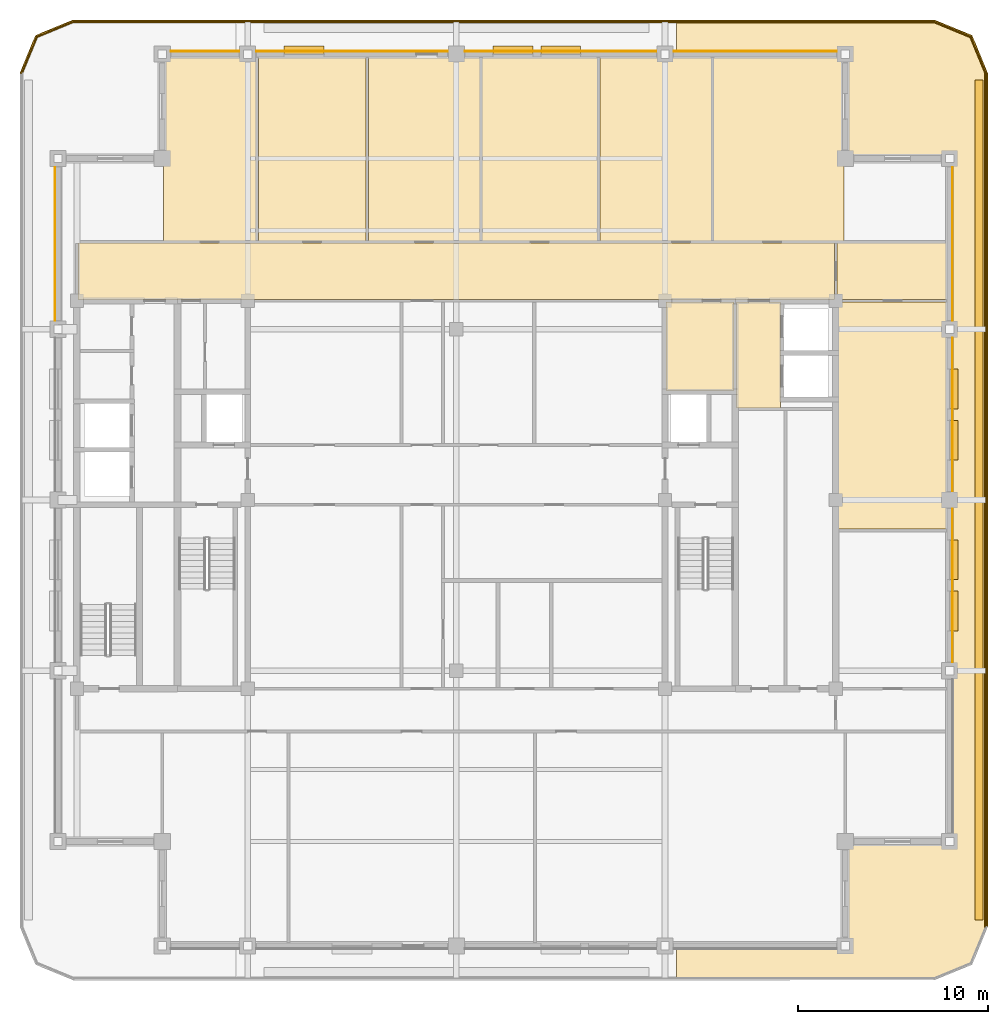
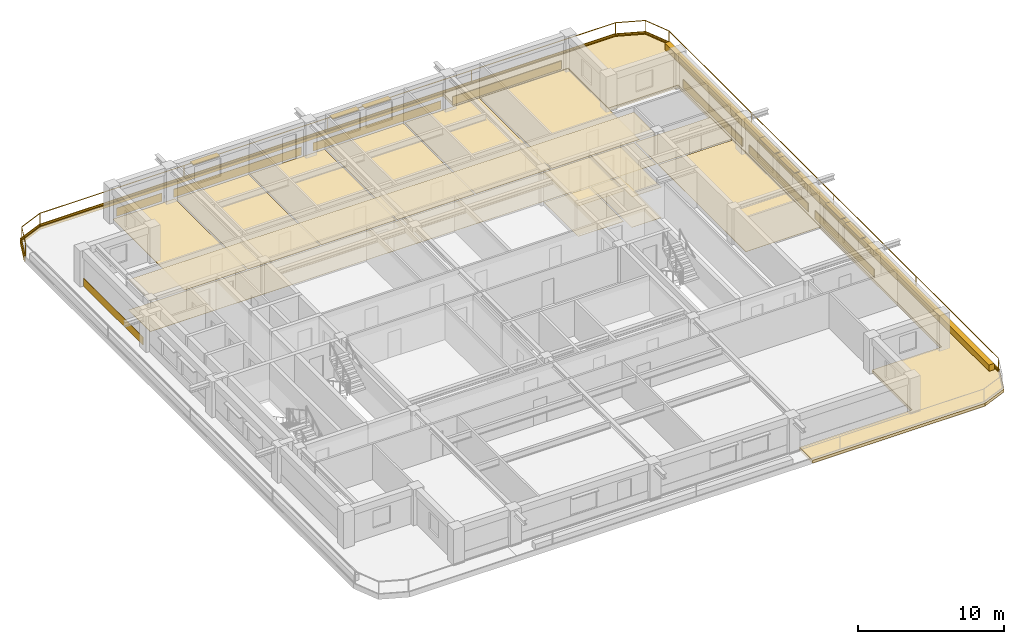
# One storey, part 11 of 11: 30 coverings, 7 shading devices, 2 railings.
"""IFC4 building model written with IfcOpenShell, lengths in metres."""

from ifc_helpers import new_model, si_unit, direction, frame, frame_2d, origin, origin_2d, place, context, subcontext, project, spatial, polyline, rectangle, outline, extrude, material, layer, layer_set, type_object, element, save


model = new_model("IFC4")

# Units and contexts
model_context = context("Model", 3, precision=1e-05, world=origin(), true_north=direction((0.0, 1.0)))
body_context = subcontext(model_context, "Body", "Model", "MODEL_VIEW")
ifc_project = project(units=[si_unit("LENGTHUNIT", "METRE"), si_unit("AREAUNIT", "SQUARE_METRE"), si_unit("VOLUMEUNIT", "CUBIC_METRE"), si_unit("PLANEANGLEUNIT", "RADIAN"), si_unit("MASSUNIT", "GRAM", prefix="KILO")], contexts=[model_context])

# Site, building, storey
site_placement = place(None, origin())
site = spatial("IfcSite", under=ifc_project, at=site_placement, CompositionType="ELEMENT")
building_placement = place(site_placement, origin())
building = spatial("IfcBuilding", under=site, at=building_placement, Name="Zulmaris Gate Convention Tower", CompositionType="ELEMENT")
storey_placement = place(building_placement, frame((0.0, 0.0, 239.739990234375)))
storey = spatial("IfcBuildingStorey", under=building, at=storey_placement, Name="L63", CompositionType="ELEMENT", Elevation=239.739990234375)

# Coverings
ifc_material_1 = material(Name="Precast concrete C40/50", Category="concrete")
ifc_layer_1 = layer(ifc_material_1, 0.0400390625, Name="Precast concrete C40/50")
ifc_layer_set_1 = layer_set([ifc_layer_1], Name="Precast concrete C40/50")
covering_type_1 = type_object("IfcCoveringType", Name="CLAD-SPANDREL-PRECAST", PredefinedType="CLADDING", material=ifc_layer_set_1)
covering_1_placement = place(storey_placement, frame((-11.455078125, 23.64990234375, 0.0), z_axis=(0.0, 0.0, 1.0), x_axis=(-1.0, 0.0, 0.0)))
element("IfcCovering", 1, at=covering_1_placement, inside=storey, type_object=covering_type_1, Name="CLD-L63-N-0_0", PredefinedType="CLADDING", context=body_context, shape_type="SweptSolid", body=[
    extrude(rectangle(XDim=3.58984375, YDim=0.0400390625, at=frame_2d((1.794921875, 0.0))), origin(), (0.0, 0.0, 1.0), 0.679931640625),
])
for number, where, z_axis, x_axis, name in (
    (2, (-0.455078125, 23.64990234375, 0.0), (0.0, 0.0, 1.0), (-1.0, 0.0, 0.0), "CLD-L63-N-1_0"),
    (3, (10.544921875, 23.64990234375, 0.0), (0.0, 0.0, 1.0), (-1.0, 0.0, 0.0), "CLD-L63-N-2_0"),
):
    element("IfcCovering", number, at=place(storey_placement, frame(where, z_axis=z_axis, x_axis=x_axis)), inside=storey, type_object=covering_type_1, Name=name, PredefinedType="CLADDING", context=body_context, shape_type="SweptSolid", body=[
        extrude(rectangle(XDim=10.08984375, YDim=0.0400390625, at=frame_2d((5.044921875, 0.0))), origin(), (0.0, 0.0, 1.0), 0.679931640625),
    ])
covering_2_placement = place(storey_placement, frame((20.044921875, 23.64990234375, 0.0), z_axis=(0.0, 0.0, 1.0), x_axis=(-1.0, 0.0, 0.0)))
element("IfcCovering", 4, at=covering_2_placement, inside=storey, type_object=covering_type_1, Name="CLD-L63-N-3_0", PredefinedType="CLADDING", context=body_context, shape_type="SweptSolid", body=[
    extrude(rectangle(XDim=8.58984375, YDim=0.0400390625, at=frame_2d((4.294921875, 0.0))), origin(), (0.0, 0.0, 1.0), 0.679931640625),
])
for number, where, z_axis, x_axis, name in (
    (5, (26.14990234375, -8.544921875, 0.0), (0.0, 0.0, 1.0), (0.0, 1.0, 0.0), "CLD-L63-E-1_0"),
    (6, (26.14990234375, 0.455078125, 0.0), (0.0, 0.0, 1.0), (0.0, 1.0, 0.0), "CLD-L63-E-2_0"),
    (7, (26.14990234375, 9.455078125, 0.0), (0.0, 0.0, 1.0), (0.0, 1.0, 0.0), "CLD-L63-E-3_0"),
    (8, (-21.14990234375, 17.544921875, 0.0), (0.0, 0.0, 1.0), (0.0, -1.0, 0.0), "CLD-L63-W-3_0"),
):
    element("IfcCovering", number, at=place(storey_placement, frame(where, z_axis=z_axis, x_axis=x_axis)), inside=storey, type_object=covering_type_1, Name=name, PredefinedType="CLADDING", context=body_context, shape_type="SweptSolid", body=[
        extrude(rectangle(XDim=8.08984375, YDim=0.0400390625, at=frame_2d((4.044921875, 0.0))), origin(), (0.0, 0.0, 1.0), 0.679931640625),
    ])
ifc_material_2 = material(Name="White Glazed Architectural Precast Concrete C40/50", Category="concrete")
ifc_layer_2 = layer(ifc_material_2, 0.239990234375, Name="White Glazed Architectural Precast Concrete C40/50")
ifc_layer_set_2 = layer_set([ifc_layer_2], Name="White Glazed Architectural Precast Concrete C40/50")
covering_type_2 = type_object("IfcCoveringType", Name="CLAD-TRAY-DECK", PredefinedType="CLADDING", material=ifc_layer_set_2)
covering_3_placement = place(storey_placement, frame((0.0, 0.0, -0.25)))
element("IfcCovering", 9, at=covering_3_placement, inside=storey, type_object=covering_type_2, Name="L63 East Rounded-Fascia Planter Tray Deck", PredefinedType="CLADDING", context=body_context, shape_type="SweptSolid", body=[
    extrude(outline(polyline([(25.199951171875, 25.300048828125), (27.179931640625, 24.47998046875), (28.0, 22.5), (28.0, -22.5), (27.179931640625, -24.47998046875), (25.199951171875, -25.300048828125), (11.60205078125, -25.300048828125), (11.60205078125, -23.5), (20.5, -23.5), (20.5, -18.0), (26.0, -18.0), (26.0, 18.0), (20.5, 18.0), (20.5, 23.5), (11.60205078125, 23.5), (11.60205078125, 25.300048828125), (25.199951171875, 25.300048828125)])), origin(), (0.0, 0.0, 1.0), 0.239990234375),
])
ifc_layer_3 = layer(ifc_material_2, 0.080078125, Name="White Glazed Architectural Precast Concrete C40/50")
ifc_layer_set_3 = layer_set([ifc_layer_3], Name="White Glazed Architectural Precast Concrete C40/50")
covering_type_3 = type_object("IfcCoveringType", Name="CLAD-TRAY-FASCIA", PredefinedType="CLADDING", material=ifc_layer_set_3)
covering_4_placement = place(storey_placement, frame((27.9599609375, -22.5, -0.2900390625), z_axis=(0.0, 0.0, 1.0), x_axis=(0.0, 1.0, 0.0)))
element("IfcCovering", 10, at=covering_4_placement, inside=storey, type_object=covering_type_3, Name="FSC-L63-TR-05", PredefinedType="CLADDING", context=body_context, shape_type="SweptSolid", body=[
    extrude(rectangle(XDim=45.0, YDim=0.080078125, at=frame_2d((22.5, 0.0))), origin(), (0.0, 0.0, 1.0), 0.43994140625),
])
covering_5_placement = place(storey_placement, frame((27.962890625, 22.484619140625, -0.2900390625), z_axis=(0.0, 0.0, 1.0), x_axis=(-0.382656984709, 0.923890487046, 0.0)))
element("IfcCovering", 11, at=covering_5_placement, inside=storey, type_object=covering_type_3, Name="FSC-L63-TR-06", PredefinedType="CLADDING", context=body_context, shape_type="SweptSolid", body=[
    extrude(rectangle(XDim=2.14306640625, YDim=0.080078125, at=frame_2d((1.071533203125, 0.0))), origin(), (0.0, 0.0, 1.0), 0.43994140625),
])
covering_6_placement = place(storey_placement, frame((27.16455078125, 24.44287109375, -0.2900390625), z_axis=(0.0, 0.0, 1.0), x_axis=(-0.923873803533, 0.382697263049, 0.0)))
element("IfcCovering", 12, at=covering_6_placement, inside=storey, type_object=covering_type_3, Name="FSC-L63-TR-07", PredefinedType="CLADDING", context=body_context, shape_type="SweptSolid", body=[
    extrude(rectangle(XDim=2.142822265625, YDim=0.080078125, at=frame_2d((1.0712890625, 0.0))), origin(), (0.0, 0.0, 1.0), 0.43994140625),
])
covering_7_placement = place(storey_placement, frame((25.199951171875, 25.260009765625, -0.2900390625), z_axis=(0.0, 0.0, 1.0), x_axis=(-1.0, 0.0, 0.0)))
element("IfcCovering", 13, at=covering_7_placement, inside=storey, type_object=covering_type_3, Name="FSC-L63-TR-08", PredefinedType="CLADDING", context=body_context, shape_type="SweptSolid", body=[
    extrude(rectangle(XDim=45.39990234375, YDim=0.080078125, at=frame_2d((22.699951171875, 0.0))), origin(), (0.0, 0.0, 1.0), 0.43994140625),
])
covering_8_placement = place(storey_placement, frame((-20.184814453125, 25.262939453125, -0.2900390625), z_axis=(0.0, 0.0, 1.0), x_axis=(-0.923873803533, -0.382697263049, 0.0)))
element("IfcCovering", 14, at=covering_8_placement, inside=storey, type_object=covering_type_3, Name="FSC-L63-TR-09", PredefinedType="CLADDING", context=body_context, shape_type="SweptSolid", body=[
    extrude(rectangle(XDim=2.142822265625, YDim=0.080078125, at=frame_2d((1.0712890625, 0.0))), origin(), (0.0, 0.0, 1.0), 0.43994140625),
])
covering_9_placement = place(storey_placement, frame((-22.142822265625, 24.464599609375, -0.2900390625), z_axis=(0.0, 0.0, 1.0), x_axis=(-0.382656984709, -0.923890487046, 0.0)))
element("IfcCovering", 15, at=covering_9_placement, inside=storey, type_object=covering_type_3, Name="FSC-L63-TR-10", PredefinedType="CLADDING", context=body_context, shape_type="SweptSolid", body=[
    extrude(rectangle(XDim=2.14306640625, YDim=0.080078125, at=frame_2d((1.071533203125, 0.0))), origin(), (0.0, 0.0, 1.0), 0.43994140625),
])
ifc_material_3 = material(Name="Mineral Fibre Acoustic Ceiling Tile")
ifc_layer_4 = layer(ifc_material_3, 0.02001953125, Name="Mineral Fibre Acoustic Ceiling Tile")
ifc_layer_set_4 = layer_set([ifc_layer_4], Name="Mineral Fibre Acoustic Ceiling Tile")
covering_type_4 = type_object("IfcCoveringType", Name="CLG-ACOUSTIC-600", PredefinedType="CEILING", material=ifc_layer_set_4)
covering_10_placement = place(storey_placement, frame((0.0, 0.0, 2.5380859375)))
element("IfcCovering", 16, at=covering_10_placement, inside=storey, type_object=covering_type_4, Name="CLG-L63-R13", PredefinedType="CEILING", context=body_context, shape_type="SweptSolid", body=[
    extrude(outline(polyline([(11.06005859375, 5.760009765625), (14.639892578125, 5.760009765625), (14.639892578125, 10.43994140625), (11.06005859375, 10.43994140625), (11.06005859375, 5.760009765625)])), origin(), (0.0, 0.0, 1.0), 0.02001953125),
])
covering_11_placement = place(storey_placement, frame((0.0, 0.0, 2.5380859375)))
element("IfcCovering", 17, at=covering_11_placement, inside=storey, type_object=covering_type_4, Name="CLG-L63-R23", PredefinedType="CEILING", context=body_context, shape_type="SweptSolid", body=[
    extrude(outline(polyline([(14.760009765625, 4.860107421875), (17.090087890625, 4.860107421875), (17.090087890625, 10.43994140625), (14.760009765625, 10.43994140625), (14.760009765625, 4.860107421875)])), origin(), (0.0, 0.0, 1.0), 0.02001953125),
])
covering_12_placement = place(storey_placement, frame((0.0, 0.0, 2.5380859375)))
element("IfcCovering", 18, at=covering_12_placement, inside=storey, type_object=covering_type_4, Name="CLG-L63-R28", PredefinedType="CEILING", context=body_context, shape_type="SweptSolid", body=[
    extrude(outline(polyline([(-19.93994140625, 10.56005859375), (19.93994140625, 10.56005859375), (19.93994140625, 13.5400390625), (-19.93994140625, 13.5400390625), (-19.93994140625, 10.56005859375)])), origin(), (0.0, 0.0, 1.0), 0.02001953125),
])
ifc_material_4 = material(Name="Woven Acoustic Wool Carpet Tile")
ifc_layer_5 = layer(ifc_material_4, 0.02001953125, Name="Woven Acoustic Wool Carpet Tile")
ifc_layer_set_5 = layer_set([ifc_layer_5], Name="Woven Acoustic Wool Carpet Tile")
covering_type_5 = type_object("IfcCoveringType", Name="FLR-CARPET-12", PredefinedType="FLOORING", material=ifc_layer_set_5)
covering_13_placement = place(storey_placement, origin())
element("IfcCovering", 19, at=covering_13_placement, inside=storey, type_object=covering_type_5, Name="FLR-L63-R13", PredefinedType="FLOORING", context=body_context, shape_type="SweptSolid", body=[
    extrude(outline(polyline([(11.06005859375, 5.760009765625), (14.639892578125, 5.760009765625), (14.639892578125, 10.43994140625), (11.06005859375, 10.43994140625), (11.06005859375, 5.760009765625)])), origin(), (0.0, 0.0, 1.0), 0.02001953125),
])
covering_14_placement = place(storey_placement, origin())
element("IfcCovering", 20, at=covering_14_placement, inside=storey, type_object=covering_type_5, Name="FLR-L63-R23", PredefinedType="FLOORING", context=body_context, shape_type="SweptSolid", body=[
    extrude(outline(polyline([(14.760009765625, 4.860107421875), (17.090087890625, 4.860107421875), (17.090087890625, 10.43994140625), (14.760009765625, 10.43994140625), (14.760009765625, 4.860107421875)])), origin(), (0.0, 0.0, 1.0), 0.02001953125),
])
covering_15_placement = place(storey_placement, origin())
element("IfcCovering", 21, at=covering_15_placement, inside=storey, type_object=covering_type_5, Name="FLR-L63-R28", PredefinedType="FLOORING", context=body_context, shape_type="SweptSolid", body=[
    extrude(outline(polyline([(-19.93994140625, 10.56005859375), (19.93994140625, 10.56005859375), (19.93994140625, 13.5400390625), (-19.93994140625, 13.5400390625), (-19.93994140625, 10.56005859375)])), origin(), (0.0, 0.0, 1.0), 0.02001953125),
])
covering_16_placement = place(storey_placement, origin())
element("IfcCovering", 22, at=covering_16_placement, inside=storey, type_object=covering_type_5, Name="FLR-L63-R34", PredefinedType="FLOORING", context=body_context, shape_type="SweptSolid", body=[
    extrude(outline(polyline([(-10.43994140625, 13.659912109375), (-4.760009765625, 13.659912109375), (-4.760009765625, 23.43994140625), (-10.43994140625, 23.43994140625), (-10.43994140625, 13.659912109375)])), origin(), (0.0, 0.0, 1.0), 0.02001953125),
])
covering_17_placement = place(storey_placement, origin())
element("IfcCovering", 23, at=covering_17_placement, inside=storey, type_object=covering_type_5, Name="FLR-L63-R35", PredefinedType="FLOORING", context=body_context, shape_type="SweptSolid", body=[
    extrude(outline(polyline([(-4.639892578125, 13.659912109375), (1.239990234375, 13.659912109375), (1.239990234375, 23.43994140625), (-4.639892578125, 23.43994140625), (-4.639892578125, 13.659912109375)])), origin(), (0.0, 0.0, 1.0), 0.02001953125),
])
covering_18_placement = place(storey_placement, origin())
element("IfcCovering", 24, at=covering_18_placement, inside=storey, type_object=covering_type_5, Name="FLR-L63-R36", PredefinedType="FLOORING", context=body_context, shape_type="SweptSolid", body=[
    extrude(outline(polyline([(1.360107421875, 13.659912109375), (7.43994140625, 13.659912109375), (7.43994140625, 23.43994140625), (1.360107421875, 23.43994140625), (1.360107421875, 13.659912109375)])), origin(), (0.0, 0.0, 1.0), 0.02001953125),
])
covering_19_placement = place(storey_placement, origin())
element("IfcCovering", 25, at=covering_19_placement, inside=storey, type_object=covering_type_5, Name="FLR-L63-R38", PredefinedType="FLOORING", context=body_context, shape_type="SweptSolid", body=[
    extrude(outline(polyline([(13.56005859375, 13.659912109375), (20.43994140625, 13.659912109375), (20.43994140625, 23.43994140625), (13.56005859375, 23.43994140625), (13.56005859375, 13.659912109375)])), origin(), (0.0, 0.0, 1.0), 0.02001953125),
])
covering_20_placement = place(storey_placement, origin())
element("IfcCovering", 26, at=covering_20_placement, inside=storey, type_object=covering_type_5, Name="FLR-L63-R50", PredefinedType="FLOORING", context=body_context, shape_type="SweptSolid", body=[
    extrude(outline(polyline([(20.06005859375, 10.56005859375), (25.93994140625, 10.56005859375), (25.93994140625, 13.5400390625), (20.06005859375, 13.5400390625), (20.06005859375, 10.56005859375)])), origin(), (0.0, 0.0, 1.0), 0.02001953125),
])
covering_21_placement = place(storey_placement, origin())
element("IfcCovering", 27, at=covering_21_placement, inside=storey, type_object=covering_type_5, Name="FLR-L63-R52", PredefinedType="FLOORING", context=body_context, shape_type="SweptSolid", body=[
    extrude(outline(polyline([(20.06005859375, -1.5400390625), (25.93994140625, -1.5400390625), (25.93994140625, 10.43994140625), (20.06005859375, 10.43994140625), (20.06005859375, -1.5400390625)])), origin(), (0.0, 0.0, 1.0), 0.02001953125),
])
ifc_material_5 = material(Name="Engineered Teak Parquet Flooring")
ifc_layer_6 = layer(ifc_material_5, 0.02001953125, Name="Engineered Teak Parquet Flooring")
ifc_layer_set_6 = layer_set([ifc_layer_6], Name="Engineered Teak Parquet Flooring")
covering_type_6 = type_object("IfcCoveringType", Name="FLR-TIMBER-18", PredefinedType="FLOORING", material=ifc_layer_set_6)
covering_22_placement = place(storey_placement, origin())
element("IfcCovering", 28, at=covering_22_placement, inside=storey, type_object=covering_type_6, Name="FLR-L63-R33", PredefinedType="FLOORING", context=body_context, shape_type="SweptSolid", body=[
    extrude(outline(polyline([(-15.43994140625, 13.659912109375), (-10.56005859375, 13.659912109375), (-10.56005859375, 23.43994140625), (-15.43994140625, 23.43994140625), (-15.43994140625, 13.659912109375)])), origin(), (0.0, 0.0, 1.0), 0.02001953125),
])
covering_23_placement = place(storey_placement, origin())
element("IfcCovering", 29, at=covering_23_placement, inside=storey, type_object=covering_type_6, Name="FLR-L63-R37", PredefinedType="FLOORING", context=body_context, shape_type="SweptSolid", body=[
    extrude(outline(polyline([(7.56005859375, 13.659912109375), (13.43994140625, 13.659912109375), (13.43994140625, 23.43994140625), (7.56005859375, 23.43994140625), (7.56005859375, 13.659912109375)])), origin(), (0.0, 0.0, 1.0), 0.02001953125),
])
ifc_material_6 = material(Name="Botanical Green Glazed Precast Concrete C40/50", Category="concrete")
ifc_layer_7 = layer(ifc_material_6, 0.419921875, Name="Botanical Green Glazed Precast Concrete C40/50")
ifc_layer_set_7 = layer_set([ifc_layer_7], Name="Botanical Green Glazed Precast Concrete C40/50")
covering_type_7 = type_object("IfcCoveringType", Name="PLANTER-BOX-200", PredefinedType="CLADDING", material=ifc_layer_set_7)
covering_24_placement = place(storey_placement, frame((0.0, 0.0, -0.010009765625)))
element("IfcCovering", 30, at=covering_24_placement, inside=storey, type_object=covering_type_7, Name="L63 E Full-Length Balcony Tree Planter Trough", PredefinedType="CLADDING", context=body_context, shape_type="SweptSolid", body=[
    extrude(outline(polyline([(27.340087890625, -22.14990234375), (27.760009765625, -22.14990234375), (27.760009765625, 22.14990234375), (27.340087890625, 22.14990234375), (27.340087890625, -22.14990234375)])), origin(), (0.0, 0.0, 1.0), 0.52001953125),
])

# Railings
ifc_material_7 = material(Name="Laminated Glass and Stainless Steel", Category="steel")
railing_type = type_object("IfcRailingType", Name="RL-BALC-1150", PredefinedType="BALUSTRADE", material=ifc_material_7)
railing_1_placement = place(storey_placement, frame((27.8798828125, -22.5, -0.010009765625)))
element("IfcRailing", 31, at=railing_1_placement, inside=storey, type_object=railing_type, Name="RL-L63-BALC-E", PredefinedType="BALUSTRADE", context=body_context, shape_type="SweptSolid", body=[
    extrude(rectangle(XDim=0.048095703125, YDim=0.048095703125, at=origin_2d()), frame((0.0, 0.0, 1.1259765625), z_axis=(0.0, 1.0, 0.0), x_axis=(-1.0, 0.0, 0.0)), (0.0, 0.0, 1.0), 45.0),
    extrude(rectangle(XDim=0.048095703125, YDim=0.048095703125, at=origin_2d()), frame((0.0, 0.0, 0.02392578125), z_axis=(0.0, 1.0, 0.0), x_axis=(-1.0, 0.0, 0.0)), (0.0, 0.0, 1.0), 45.0),
    extrude(rectangle(XDim=0.0419921875, YDim=0.0419921875, at=origin_2d()), origin(), (0.0, 0.0, 1.0), 1.101806640625),
    extrude(rectangle(XDim=0.0419921875, YDim=0.0419921875, at=origin_2d()), frame((0.0, 11.25, 0.0)), (0.0, 0.0, 1.0), 1.101806640625),
    extrude(rectangle(XDim=0.0419921875, YDim=0.0419921875, at=origin_2d()), frame((0.0, 22.5, 0.0)), (0.0, 0.0, 1.0), 1.101806640625),
    extrude(rectangle(XDim=0.0419921875, YDim=0.0419921875, at=origin_2d()), frame((0.0, 33.75, 0.0)), (0.0, 0.0, 1.0), 1.101806640625),
    extrude(rectangle(XDim=0.0419921875, YDim=0.0419921875, at=origin_2d()), frame((0.0, 45.0, 0.0)), (0.0, 0.0, 1.0), 1.101806640625),
])
railing_2_placement = place(storey_placement, frame((27.8798828125, 22.5, -0.010009765625)))
element("IfcRailing", 32, at=railing_2_placement, inside=storey, type_object=railing_type, Name="RL-L63-BALC-N", PredefinedType="BALUSTRADE", context=body_context, shape_type="SweptSolid", body=[
    extrude(rectangle(XDim=0.048095703125, YDim=0.048095703125, at=origin_2d()), frame((0.0, 0.0, 1.1259765625), z_axis=(-0.382670664694, 0.92388482095, 0.0), x_axis=(-0.92388482095, -0.382670664694, 0.0)), (0.0, 0.0, 1.0), 2.051025390625),
    extrude(rectangle(XDim=0.048095703125, YDim=0.048095703125, at=origin_2d()), frame((0.0, 0.0, 0.02392578125), z_axis=(-0.382670664694, 0.92388482095, 0.0), x_axis=(-0.92388482095, -0.382670664694, 0.0)), (0.0, 0.0, 1.0), 2.051025390625),
    extrude(rectangle(XDim=0.048095703125, YDim=0.048095703125, at=origin_2d()), frame((-0.784912109375, 1.89501953125, 1.1259765625), z_axis=(-0.92388482095, 0.382670664694, 0.0), x_axis=(-0.382670664694, -0.92388482095, 0.0)), (0.0, 0.0, 1.0), 2.051025390625),
    extrude(rectangle(XDim=0.048095703125, YDim=0.048095703125, at=origin_2d()), frame((-0.784912109375, 1.89501953125, 0.02392578125), z_axis=(-0.92388482095, 0.382670664694, 0.0), x_axis=(-0.382670664694, -0.92388482095, 0.0)), (0.0, 0.0, 1.0), 2.051025390625),
    extrude(rectangle(XDim=0.048095703125, YDim=0.048095703125, at=origin_2d()), frame((-2.679931640625, 2.679931640625, 1.1259765625), z_axis=(-1.0, 0.0, 0.0), x_axis=(0.0, -1.0, 0.0)), (0.0, 0.0, 1.0), 45.39990234375),
    extrude(rectangle(XDim=0.048095703125, YDim=0.048095703125, at=origin_2d()), frame((-2.679931640625, 2.679931640625, 0.02392578125), z_axis=(-1.0, 0.0, 0.0), x_axis=(0.0, -1.0, 0.0)), (0.0, 0.0, 1.0), 45.39990234375),
    extrude(rectangle(XDim=0.048095703125, YDim=0.048095703125, at=origin_2d()), frame((-48.079833984375, 2.679931640625, 1.1259765625), z_axis=(-0.92388482095, -0.382670664694, 0.0), x_axis=(0.382670664694, -0.92388482095, 0.0)), (0.0, 0.0, 1.0), 2.051025390625),
    extrude(rectangle(XDim=0.048095703125, YDim=0.048095703125, at=origin_2d()), frame((-48.079833984375, 2.679931640625, 0.02392578125), z_axis=(-0.92388482095, -0.382670664694, 0.0), x_axis=(0.382670664694, -0.92388482095, 0.0)), (0.0, 0.0, 1.0), 2.051025390625),
    extrude(rectangle(XDim=0.048095703125, YDim=0.048095703125, at=origin_2d()), frame((-49.974853515625, 1.89501953125, 1.1259765625), z_axis=(-0.382670664694, -0.92388482095, 0.0), x_axis=(0.92388482095, -0.382670664694, 0.0)), (0.0, 0.0, 1.0), 2.051025390625),
    extrude(rectangle(XDim=0.048095703125, YDim=0.048095703125, at=origin_2d()), frame((-49.974853515625, 1.89501953125, 0.02392578125), z_axis=(-0.382670664694, -0.92388482095, 0.0), x_axis=(0.92388482095, -0.382670664694, 0.0)), (0.0, 0.0, 1.0), 2.051025390625),
    extrude(rectangle(XDim=0.0419921875, YDim=0.0419921875, at=origin_2d()), origin(), (0.0, 0.0, 1.0), 1.101806640625),
    extrude(rectangle(XDim=0.0419921875, YDim=0.0419921875, at=origin_2d()), frame((-0.784912109375, 1.89501953125, 0.0)), (0.0, 0.0, 1.0), 1.101806640625),
    extrude(rectangle(XDim=0.0419921875, YDim=0.0419921875, at=origin_2d()), frame((-2.679931640625, 2.679931640625, 0.0)), (0.0, 0.0, 1.0), 1.101806640625),
    extrude(rectangle(XDim=0.0419921875, YDim=0.0419921875, at=origin_2d()), frame((-14.02978515625, 2.679931640625, 0.0)), (0.0, 0.0, 1.0), 1.101806640625),
    extrude(rectangle(XDim=0.0419921875, YDim=0.0419921875, at=origin_2d()), frame((-25.3798828125, 2.679931640625, 0.0)), (0.0, 0.0, 1.0), 1.101806640625),
    extrude(rectangle(XDim=0.0419921875, YDim=0.0419921875, at=origin_2d()), frame((-36.72998046875, 2.679931640625, 0.0)), (0.0, 0.0, 1.0), 1.101806640625),
    extrude(rectangle(XDim=0.0419921875, YDim=0.0419921875, at=origin_2d()), frame((-48.079833984375, 2.679931640625, 0.0)), (0.0, 0.0, 1.0), 1.101806640625),
    extrude(rectangle(XDim=0.0419921875, YDim=0.0419921875, at=origin_2d()), frame((-49.974853515625, 1.89501953125, 0.0)), (0.0, 0.0, 1.0), 1.101806640625),
    extrude(rectangle(XDim=0.0419921875, YDim=0.0419921875, at=origin_2d()), frame((-50.759765625, 0.0, 0.0)), (0.0, 0.0, 1.0), 1.101806640625),
])

# Shading devices
ifc_material_8 = material(Name="Glazed Ceramic Terracotta", Category="masonry")
ifc_layer_8 = layer(ifc_material_8, 0.070068359375, Name="Glazed Ceramic Terracotta")
ifc_layer_set_8 = layer_set([ifc_layer_8], Name="Glazed Ceramic Terracotta")
shading_device_type = type_object("IfcShadingDeviceType", Name="SHD-SUNSHADE-TC", PredefinedType="AWNING", material=ifc_layer_set_8)
for number, where, z_axis, x_axis, name in (
    (33, (-6.972900390625, 23.719970703125, 2.22998046875), (0.0, 0.0, 1.0), (-1.0, 0.0, 0.0), "SHD-EW-L63-N-1_0-3"),
    (34, (6.550048828125, 23.719970703125, 2.22998046875), (0.0, 0.0, 1.0), (-1.0, 0.0, 0.0), "SHD-EW-L63-N-2_0-2"),
    (35, (4.027099609375, 23.719970703125, 2.22998046875), (0.0, 0.0, 1.0), (-1.0, 0.0, 0.0), "SHD-EW-L63-N-2_0-3"),
):
    element("IfcShadingDevice", number, at=place(storey_placement, frame(where, z_axis=z_axis, x_axis=x_axis)), inside=storey, type_object=shading_device_type, Name=name, PredefinedType="AWNING", context=body_context, shape_type="SweptSolid", body=[
        extrude(rectangle(XDim=2.10009765625, YDim=0.43994140625, at=frame_2d((1.050048828125, 0.0))), origin(), (0.0, 0.0, 1.0), 0.070068359375),
    ])
for number, where, z_axis, x_axis, name in (
    (36, (26.219970703125, -6.89794921875, 2.22998046875), (0.0, 0.0, 1.0), (0.0, 1.0, 0.0), "SHD-EW-L63-E-1_0-1"),
    (37, (26.219970703125, -4.201904296875, 2.22998046875), (0.0, 0.0, 1.0), (0.0, 1.0, 0.0), "SHD-EW-L63-E-1_0-2"),
    (38, (26.219970703125, 2.10205078125, 2.22998046875), (0.0, 0.0, 1.0), (0.0, 1.0, 0.0), "SHD-EW-L63-E-2_0-1"),
    (39, (26.219970703125, 4.798095703125, 2.22998046875), (0.0, 0.0, 1.0), (0.0, 1.0, 0.0), "SHD-EW-L63-E-2_0-2"),
):
    element("IfcShadingDevice", number, at=place(storey_placement, frame(where, z_axis=z_axis, x_axis=x_axis)), inside=storey, type_object=shading_device_type, Name=name, PredefinedType="AWNING", context=body_context, shape_type="SweptSolid", body=[
        extrude(rectangle(XDim=2.099853515625, YDim=0.43994140625, at=frame_2d((1.0498046875, 0.0))), origin(), (0.0, 0.0, 1.0), 0.070068359375),
    ])

save(model, "model.ifc")
